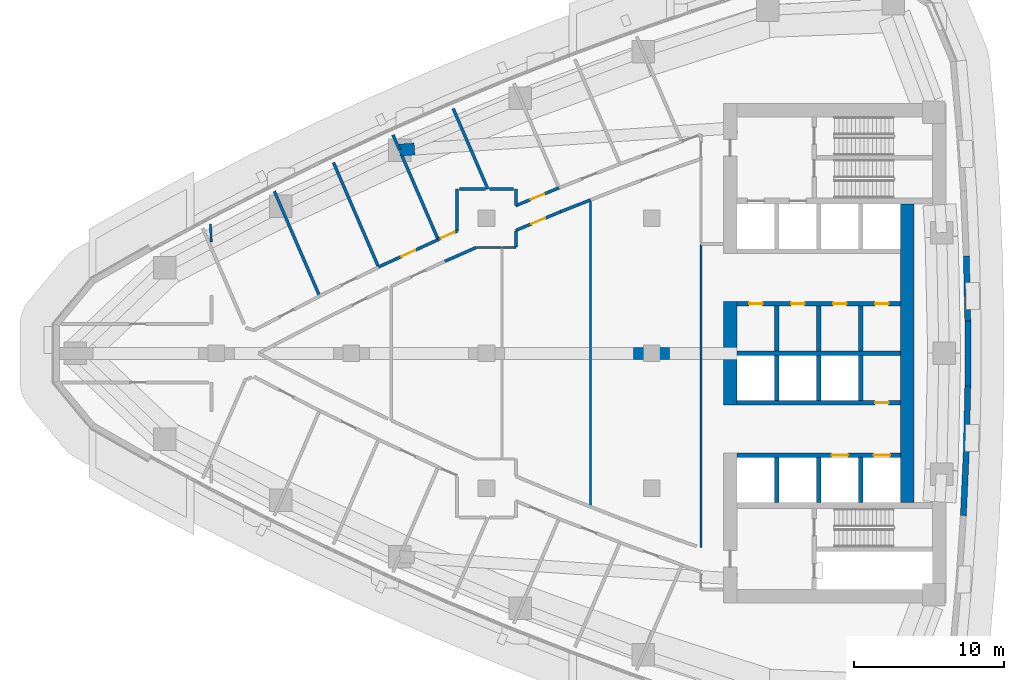
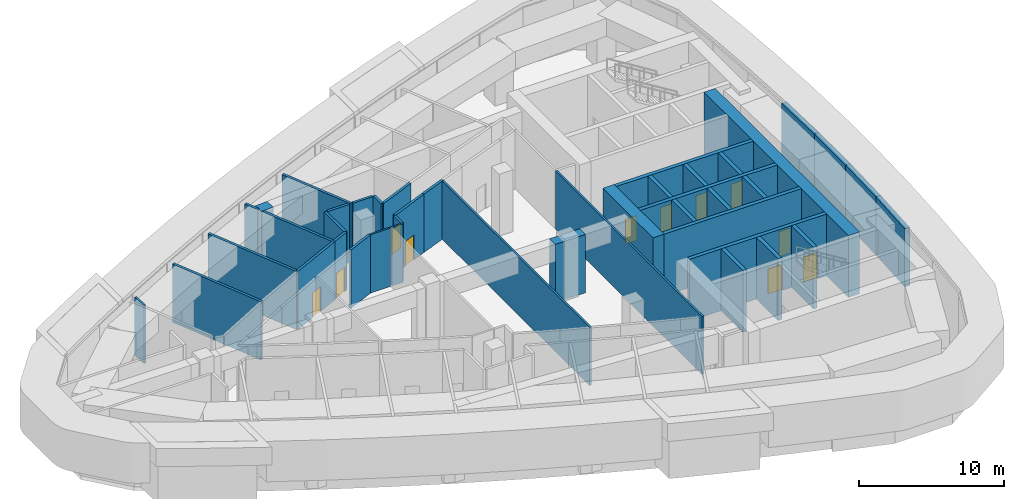
# One storey, part 12 of 18: 42 walls, 11 doors, 11 openings.
"""IFC4 building model written with IfcOpenShell, lengths in metres."""

import ifcopenshell
import ifcopenshell.guid

model = None  # the IFC model being written
_history = None  # IfcOwnerHistory: only IFC2X3 demands one
_inside = {}  # id of a spatial element -> (the spatial element, [elements in it])
_under = {}  # id of a project, library or spatial element -> (it, [spatial elements below it])
_declared = {}  # id of a project -> (the project, [libraries it declares])
_typed = {}  # id of a type object -> (the type object, [elements of that type])
_made_of = {}  # id of a material, layer set ... -> (it, [elements and type objects made of it])


def new_model(schema):
    """Start an empty IFC model of exactly this schema.

    Asked for "IFC4X3", IfcOpenShell would pick the latest addendum, in which some entities
    have other attributes; the version numbers below select the first issue.
    IFC2X3 requires an IfcOwnerHistory on every rooted entity: one is made here for all.
    """
    global model, _history
    if schema == "IFC4X3":
        model = ifcopenshell.file(schema_version=(4, 3, 0, 0))
    else:
        model = ifcopenshell.file(schema=schema)
    _inside.clear()
    _under.clear()
    _declared.clear()
    _typed.clear()
    _made_of.clear()
    _history = None
    if model.schema == "IFC2X3":
        org = make("IfcOrganization", Name="unknown")
        user = make(
            "IfcPersonAndOrganization",
            ThePerson=make("IfcPerson", FamilyName="unknown"),
            TheOrganization=org,
        )
        app = make(
            "IfcApplication",
            ApplicationDeveloper=org,
            Version="unknown",
            ApplicationFullName="unknown",
            ApplicationIdentifier="unknown",
        )
        _history = make(
            "IfcOwnerHistory",
            OwningUser=user,
            OwningApplication=app,
            ChangeAction="ADDED",
            CreationDate=0,
        )
    return model


def make(cls, **values):
    """One entity of the class cls with the attributes given. An attribute that is None is left unset."""
    return model.create_entity(
        cls, **{name: value for name, value in values.items() if value is not None}
    )


def rooted(cls, **values):
    """An entity with a GlobalId (a new one), such as an element, a storey or a relation."""
    return make(cls, GlobalId=ifcopenshell.guid.new(), OwnerHistory=_history, **values)


def si_unit(unit_type, name, prefix=None):
    """IfcSIUnit, for example si_unit("LENGTHUNIT", "METRE", prefix="MILLI")."""
    return make("IfcSIUnit", UnitType=unit_type, Prefix=prefix, Name=name)


def assignment(units):
    """IfcUnitAssignment: the units of a project."""
    return None if units is None else make("IfcUnitAssignment", Units=units)


def point(xyz):
    """IfcCartesianPoint."""
    return None if xyz is None else make("IfcCartesianPoint", Coordinates=xyz)


def direction(xyz):
    """IfcDirection."""
    return None if xyz is None else make("IfcDirection", DirectionRatios=xyz)


def frame(location, z_axis=None, x_axis=None):
    """IfcAxis2Placement3D, a coordinate frame: its origin and axes. An axis left out is left unset."""
    return make(
        "IfcAxis2Placement3D",
        Location=point(location),
        Axis=direction(z_axis),
        RefDirection=direction(x_axis),
    )


def frame_2d(location, x_axis=None):
    """IfcAxis2Placement2D, a coordinate frame in the plane: its origin and x axis."""
    return make(
        "IfcAxis2Placement2D", Location=point(location), RefDirection=direction(x_axis)
    )


def origin():
    """The frame at (0, 0, 0) with its axes left unset."""
    return frame((0.0, 0.0, 0.0))


def place(relative_to, where):
    """IfcLocalPlacement: puts the frame where relative to a parent placement (None: the world)."""
    return make(
        "IfcLocalPlacement", PlacementRelTo=relative_to, RelativePlacement=where
    )


def context(
    kind, dimensions, precision=None, world=None, true_north=None, identifier=None
):
    """IfcGeometricRepresentationContext, for example the 3D "Model" context."""
    return make(
        "IfcGeometricRepresentationContext",
        ContextIdentifier=identifier,
        ContextType=kind,
        CoordinateSpaceDimension=dimensions,
        Precision=precision,
        WorldCoordinateSystem=world,
        TrueNorth=true_north,
    )


def subcontext(parent, identifier, kind, view, scale=None):
    """IfcGeometricRepresentationSubContext, for example "Body" below "Model"."""
    return make(
        "IfcGeometricRepresentationSubContext",
        ContextIdentifier=identifier,
        ContextType=kind,
        ParentContext=parent,
        TargetScale=scale,
        TargetView=view,
    )


def project(units=None, contexts=None):
    """IfcProject with its units and contexts."""
    return rooted(
        "IfcProject",
        Name="project",
        RepresentationContexts=contexts,
        UnitsInContext=assignment(units),
    )


def spatial(cls, under=None, at=None, **own):
    """A site, building, storey or space (cls), placed at a placement, below another one or the project."""
    s = rooted(cls, ObjectPlacement=at, **own)
    if under is not None:
        _under.setdefault(under.id(), (under, []))[1].append(s)
    return s


def polyline(points):
    """IfcPolyline through the points."""
    return make("IfcPolyline", Points=[point(p) for p in points])


def profile(cls, at=None, kind="AREA", **sizes):
    """A parametric profile (cls). Its sizes go by their IFC names, for example OverallWidth=200.0."""
    return make(cls, ProfileType=kind, Position=at, **sizes)


def rectangle(**sizes):
    """IfcRectangleProfileDef."""
    return profile("IfcRectangleProfileDef", **sizes)


def outline(outer, holes=None, kind="AREA"):
    """IfcArbitraryClosedProfileDef: a profile drawn as a closed curve; with holes, ...WithVoids."""
    if holes is None:
        return make("IfcArbitraryClosedProfileDef", ProfileType=kind, OuterCurve=outer)
    return make(
        "IfcArbitraryProfileDefWithVoids",
        ProfileType=kind,
        OuterCurve=outer,
        InnerCurves=holes,
    )


def extrude(swept, where, along, depth):
    """IfcExtrudedAreaSolid: the profile swept, set in the frame where, extruded along a direction by depth."""
    return make(
        "IfcExtrudedAreaSolid",
        SweptArea=swept,
        Position=where,
        ExtrudedDirection=direction(along),
        Depth=depth,
    )


def shape(context_of_items, identifier, shape_type, items):
    """IfcShapeRepresentation: the items that make up one representation, for example the "Body"."""
    return make(
        "IfcShapeRepresentation",
        ContextOfItems=context_of_items,
        RepresentationIdentifier=identifier,
        RepresentationType=shape_type,
        Items=items,
    )


def material(Name=None, Category=None):
    """IfcMaterial."""
    return make("IfcMaterial", Name=Name, Category=Category)


def layer(
    of_material, thickness, ventilated=None, Name=None, Category=None, Priority=None
):
    """IfcMaterialLayer: one layer of a wall or slab, of a material (None: an air gap)."""
    return make(
        "IfcMaterialLayer",
        Material=of_material,
        LayerThickness=thickness,
        IsVentilated=ventilated,
        Name=Name,
        Category=Category,
        Priority=Priority,
    )


def layer_set(layers, Name=None):
    """IfcMaterialLayerSet."""
    return make("IfcMaterialLayerSet", MaterialLayers=layers, LayerSetName=Name)


def made_of(thing, what):
    """Note that an element or type object is made of a material, layer set ...; save() writes the relation."""
    if what is not None:
        _made_of.setdefault(what.id(), (what, []))[1].append(thing)
    return thing


def type_object(cls, material=None, **own):
    """A type object (cls), such as IfcWallType, which elements share."""
    return made_of(rooted(cls, **own), material)


def element(
    cls,
    number,
    at=None,
    inside=None,
    cuts=None,
    type_object=None,
    material=None,
    context=None,
    identifier="Body",
    shape_type=None,
    held_by="IfcProductDefinitionShape",
    body=None,
    shapes=None,
    **own,
):
    """One element of the class cls, such as IfcWall. Its Tag is "e" and its number.

    at: its placement. inside: the storey or other place that contains it. cuts: it is an
    opening in that element (IfcRelVoidsElement). A single representation is given by context,
    identifier, shape_type and body (its items); several are given by shapes. held_by: the class
    of the entity that holds the representations. save() writes the other relations.
    """
    e = rooted(cls, Tag="e%d" % number, ObjectPlacement=at, **own)
    if body is not None:
        shapes = [shape(context, identifier, shape_type, body)]
    if shapes is not None:
        e.Representation = make(held_by, Representations=shapes)
    if inside is not None:
        _inside.setdefault(inside.id(), (inside, []))[1].append(e)
    if cuts is not None:
        rooted(
            "IfcRelVoidsElement", RelatingBuildingElement=cuts, RelatedOpeningElement=e
        )
    if type_object is not None:
        _typed.setdefault(type_object.id(), (type_object, []))[1].append(e)
    return made_of(e, material)


def fill(opening, filler):
    """IfcRelFillsElement: the door or window that sits in an opening."""
    return rooted(
        "IfcRelFillsElement",
        RelatingOpeningElement=opening,
        RelatedBuildingElement=filler,
    )


def aggregate(whole, parts):
    """IfcRelAggregates: a whole, such as a stair, and the parts it consists of."""
    return rooted("IfcRelAggregates", RelatingObject=whole, RelatedObjects=parts)


def save(model, path):
    """Write the relations noted so far, then the file.

    IfcRelAggregates (storeys below a building ...), IfcRelContainedInSpatialStructure (elements
    in a storey), IfcRelDefinesByType, IfcRelAssociatesMaterial and IfcRelDeclares: one each for
    every whole, place, type object, material and project.
    """
    for whole, parts in _under.values():
        aggregate(whole, parts)
    for where, things in _inside.values():
        rooted(
            "IfcRelContainedInSpatialStructure",
            RelatedElements=things,
            RelatingStructure=where,
        )
    for kind, things in _typed.values():
        rooted("IfcRelDefinesByType", RelatedObjects=things, RelatingType=kind)
    for what, things in _made_of.values():
        rooted("IfcRelAssociatesMaterial", RelatedObjects=things, RelatingMaterial=what)
    for by, libraries in _declared.values():
        rooted("IfcRelDeclares", RelatingContext=by, RelatedDefinitions=libraries)
    model.write(path)


model = new_model("IFC4")

# Units and contexts
model_context = context("Model", 3, precision=1e-05, world=origin(), true_north=direction((0.0, 1.0)))
body_context = subcontext(model_context, "Body", "Model", "MODEL_VIEW")
ifc_project = project(units=[si_unit("LENGTHUNIT", "METRE"), si_unit("AREAUNIT", "SQUARE_METRE"), si_unit("VOLUMEUNIT", "CUBIC_METRE"), si_unit("PLANEANGLEUNIT", "RADIAN"), si_unit("MASSUNIT", "GRAM", prefix="KILO")], contexts=[model_context])

# Site, building, storey
site_placement = place(None, origin())
site = spatial("IfcSite", under=ifc_project, at=site_placement, CompositionType="ELEMENT")
building_placement = place(site_placement, origin())
building = spatial("IfcBuilding", under=site, at=building_placement, Name="Ostrand Prow Hotel Tower", CompositionType="ELEMENT")
storey_placement = place(building_placement, frame((0.0, 0.0, 165.699951171875)))
storey = spatial("IfcBuildingStorey", under=building, at=storey_placement, Name="L41", CompositionType="ELEMENT", Elevation=165.699951171875)

# Wall
ifc_material_1 = material(Name="Concrete C70/85", Category="concrete")
ifc_layer_1 = layer(ifc_material_1, 0.300048828125)
ifc_layer_set_1 = layer_set([ifc_layer_1], Name="Concrete C70/85")
wall_type_1 = type_object("IfcWallType", Name="Core wall 300 C70/85", PredefinedType="SHEAR", material=ifc_layer_set_1)
wall_1_placement = place(storey_placement, frame((50.699951171875, 0.0, 0.0), z_axis=(0.0, 0.0, 1.0), x_axis=(1.0, 0.0, 0.0)))
element("IfcWall", 1, at=wall_1_placement, inside=storey, type_object=wall_type_1, Name="Core wall PW-C", PredefinedType="SHEAR", context=body_context, shape_type="SweptSolid", body=[
    extrude(rectangle(XDim=10.900146484375, YDim=0.300048828125, at=frame_2d((5.4501953125, 0.0))), origin(), (0.0, 0.0, 1.0), 5.199951171875),
])

# Wall, openings, doors
wall_2_placement = place(storey_placement, frame((50.699951171875, 3.300048828125, 0.0), z_axis=(0.0, 0.0, 1.0), x_axis=(1.0, 0.0, 0.0)))
wall_2 = element("IfcWall", 2, at=wall_2_placement, inside=storey, type_object=wall_type_1, Name="Core wall PW-L1-N", PredefinedType="SHEAR", context=body_context, shape_type="SweptSolid", body=[
    extrude(rectangle(XDim=10.900146484375, YDim=0.300048828125, at=frame_2d((5.4501953125, 0.0))), origin(), (0.0, 0.0, 1.0), 5.199951171875),
])
opening_1_placement = place(wall_2_placement, frame((0.800048828125, 0.0, 0.0)))
opening_1 = element("IfcOpeningElement", 3, at=opening_1_placement, cuts=wall_2, Name="Opening FD2", PredefinedType="OPENING", context=body_context, shape_type="SweptSolid", body=[
    extrude(rectangle(XDim=0.89990234375, YDim=2.10009765625, at=frame_2d((0.449951171875, 1.050048828125))), frame((0.0, 0.159912109375, 0.0), z_axis=(0.0, -1.0, 0.0), x_axis=(1.0, 0.0, 0.0)), (0.0, 0.0, 1.0), 0.320068359375),
])
opening_2_placement = place(wall_2_placement, frame((3.60009765625, 0.0, 0.0)))
opening_2 = element("IfcOpeningElement", 4, at=opening_2_placement, cuts=wall_2, Name="Opening FD2", PredefinedType="OPENING", context=body_context, shape_type="SweptSolid", body=[
    extrude(rectangle(XDim=0.89990234375, YDim=2.10009765625, at=frame_2d((0.449951171875, 1.050048828125))), frame((0.0, 0.159912109375, 0.0), z_axis=(0.0, -1.0, 0.0), x_axis=(1.0, 0.0, 0.0)), (0.0, 0.0, 1.0), 0.320068359375),
])
opening_3_placement = place(wall_2_placement, frame((6.39990234375, 0.0, 0.0)))
opening_3 = element("IfcOpeningElement", 5, at=opening_3_placement, cuts=wall_2, Name="Opening FD2", PredefinedType="OPENING", context=body_context, shape_type="SweptSolid", body=[
    extrude(rectangle(XDim=0.89990234375, YDim=2.10009765625, at=frame_2d((0.449951171875, 1.050048828125))), frame((0.0, 0.159912109375, 0.0), z_axis=(0.0, -1.0, 0.0), x_axis=(1.0, 0.0, 0.0)), (0.0, 0.0, 1.0), 0.320068359375),
])
opening_4_placement = place(wall_2_placement, frame((9.199951171875, 0.0, 0.0)))
opening_4 = element("IfcOpeningElement", 6, at=opening_4_placement, cuts=wall_2, Name="Opening FD2", PredefinedType="OPENING", context=body_context, shape_type="SweptSolid", body=[
    extrude(rectangle(XDim=0.89990234375, YDim=2.10009765625, at=frame_2d((0.449951171875, 1.050048828125))), frame((0.0, 0.159912109375, 0.0), z_axis=(0.0, -1.0, 0.0), x_axis=(1.0, 0.0, 0.0)), (0.0, 0.0, 1.0), 0.320068359375),
])
ifc_material_2 = material(Name="Steel fire door", Category="steel")
door_type_1 = type_object("IfcDoorType", Name="Fire door 900 EI120", OperationType="SINGLE_SWING_LEFT", PredefinedType="DOOR", material=ifc_material_2)
door_1_placement = place(opening_1_placement, origin())
door_1 = element("IfcDoor", 7, at=door_1_placement, inside=storey, type_object=door_type_1, Name="DOOR", OperationType="SINGLE_SWING_LEFT", OverallHeight=2.10009765625, OverallWidth=0.89990234375, PredefinedType="DOOR", context=body_context, shape_type="SweptSolid", body=[
    extrude(rectangle(XDim=0.89990234375, YDim=2.10009765625, at=frame_2d((0.449951171875, 1.050048828125))), frame((0.0, 0.02490234375, 0.0), z_axis=(0.0, -1.0, 0.0), x_axis=(1.0, 0.0, 0.0)), (0.0, 0.0, 1.0), 0.050048828125),
])
fill(opening_1, door_1)
door_2_placement = place(opening_2_placement, origin())
door_2 = element("IfcDoor", 8, at=door_2_placement, inside=storey, type_object=door_type_1, Name="DOOR", OperationType="SINGLE_SWING_LEFT", OverallHeight=2.10009765625, OverallWidth=0.89990234375, PredefinedType="DOOR", context=body_context, shape_type="SweptSolid", body=[
    extrude(rectangle(XDim=0.89990234375, YDim=2.10009765625, at=frame_2d((0.449951171875, 1.050048828125))), frame((0.0, 0.02490234375, 0.0), z_axis=(0.0, -1.0, 0.0), x_axis=(1.0, 0.0, 0.0)), (0.0, 0.0, 1.0), 0.050048828125),
])
fill(opening_2, door_2)
door_3_placement = place(opening_3_placement, origin())
door_3 = element("IfcDoor", 9, at=door_3_placement, inside=storey, type_object=door_type_1, Name="DOOR", OperationType="SINGLE_SWING_LEFT", OverallHeight=2.10009765625, OverallWidth=0.89990234375, PredefinedType="DOOR", context=body_context, shape_type="SweptSolid", body=[
    extrude(rectangle(XDim=0.89990234375, YDim=2.10009765625, at=frame_2d((0.449951171875, 1.050048828125))), frame((0.0, 0.02490234375, 0.0), z_axis=(0.0, -1.0, 0.0), x_axis=(1.0, 0.0, 0.0)), (0.0, 0.0, 1.0), 0.050048828125),
])
fill(opening_3, door_3)
door_4_placement = place(opening_4_placement, origin())
door_4 = element("IfcDoor", 10, at=door_4_placement, inside=storey, type_object=door_type_1, Name="DOOR", OperationType="SINGLE_SWING_LEFT", OverallHeight=2.10009765625, OverallWidth=0.89990234375, PredefinedType="DOOR", context=body_context, shape_type="SweptSolid", body=[
    extrude(rectangle(XDim=0.89990234375, YDim=2.10009765625, at=frame_2d((0.449951171875, 1.050048828125))), frame((0.0, 0.02490234375, 0.0), z_axis=(0.0, -1.0, 0.0), x_axis=(1.0, 0.0, 0.0)), (0.0, 0.0, 1.0), 0.050048828125),
])
fill(opening_4, door_4)

# Walls
for number, where, z_axis, x_axis, name in (
    (11, (53.35009765625, 0.14990234375, 0.0), (0.0, 0.0, 1.0), (0.0, 1.0, 0.0), "Core wall PW-R1-NB"),
    (12, (56.14990234375, 0.14990234375, 0.0), (0.0, 0.0, 1.0), (0.0, 1.0, 0.0), "Core wall PW-R2-NB"),
    (13, (58.949951171875, 0.14990234375, 0.0), (0.0, 0.0, 1.0), (0.0, 1.0, 0.0), "Core wall PW-R3-NB"),
):
    element("IfcWall", number, at=place(storey_placement, frame(where, z_axis=z_axis, x_axis=x_axis)), inside=storey, type_object=wall_type_1, Name=name, PredefinedType="SHEAR", context=body_context, shape_type="SweptSolid", body=[
        extrude(rectangle(XDim=3.0, YDim=0.300048828125, at=frame_2d((1.5, 0.0))), origin(), (0.0, 0.0, 1.0), 5.199951171875),
    ])

# Wall, opening, door
wall_3_placement = place(storey_placement, frame((50.699951171875, -3.300048828125, 0.0), z_axis=(0.0, 0.0, 1.0), x_axis=(1.0, 0.0, 0.0)))
wall_3 = element("IfcWall", 14, at=wall_3_placement, inside=storey, type_object=wall_type_1, Name="Core wall PW-L1-S", PredefinedType="SHEAR", context=body_context, shape_type="SweptSolid", body=[
    extrude(rectangle(XDim=10.900146484375, YDim=0.300048828125, at=frame_2d((5.4501953125, 0.0))), origin(), (0.0, 0.0, 1.0), 5.199951171875),
])
opening_5_placement = place(wall_3_placement, frame((9.199951171875, 0.0, 0.0)))
opening_5 = element("IfcOpeningElement", 15, at=opening_5_placement, cuts=wall_3, Name="Opening FD2", PredefinedType="OPENING", context=body_context, shape_type="SweptSolid", body=[
    extrude(rectangle(XDim=0.89990234375, YDim=2.10009765625, at=frame_2d((0.449951171875, 1.050048828125))), frame((0.0, 0.159912109375, 0.0), z_axis=(0.0, -1.0, 0.0), x_axis=(1.0, 0.0, 0.0)), (0.0, 0.0, 1.0), 0.320068359375),
])
door_5_placement = place(opening_5_placement, origin())
door_5 = element("IfcDoor", 16, at=door_5_placement, inside=storey, type_object=door_type_1, Name="DOOR", OperationType="SINGLE_SWING_LEFT", OverallHeight=2.10009765625, OverallWidth=0.89990234375, PredefinedType="DOOR", context=body_context, shape_type="SweptSolid", body=[
    extrude(rectangle(XDim=0.89990234375, YDim=2.10009765625, at=frame_2d((0.449951171875, 1.050048828125))), frame((0.0, 0.02490234375, 0.0), z_axis=(0.0, -1.0, 0.0), x_axis=(1.0, 0.0, 0.0)), (0.0, 0.0, 1.0), 0.050048828125),
])
fill(opening_5, door_5)

# Wall, openings, doors
wall_4_placement = place(storey_placement, frame((50.699951171875, -6.800048828125, 0.0), z_axis=(0.0, 0.0, 1.0), x_axis=(1.0, 0.0, 0.0)))
wall_4 = element("IfcWall", 17, at=wall_4_placement, inside=storey, type_object=wall_type_1, Name="Core wall PW-L2-S", PredefinedType="SHEAR", context=body_context, shape_type="SweptSolid", body=[
    extrude(rectangle(XDim=10.900146484375, YDim=0.300048828125, at=frame_2d((5.4501953125, 0.0))), origin(), (0.0, 0.0, 1.0), 5.199951171875),
])
opening_6_placement = place(wall_4_placement, frame((6.300048828125, 0.0, 0.0)))
opening_6 = element("IfcOpeningElement", 18, at=opening_6_placement, cuts=wall_4, Name="Opening LD", PredefinedType="OPENING", context=body_context, shape_type="SweptSolid", body=[
    extrude(rectangle(XDim=1.10009765625, YDim=2.10009765625, at=frame_2d((0.550048828125, 1.050048828125))), frame((0.0, 0.159912109375, 0.0), z_axis=(0.0, -1.0, 0.0), x_axis=(1.0, 0.0, 0.0)), (0.0, 0.0, 1.0), 0.320068359375),
])
opening_7_placement = place(wall_4_placement, frame((9.10009765625, 0.0, 0.0)))
opening_7 = element("IfcOpeningElement", 19, at=opening_7_placement, cuts=wall_4, Name="Opening LD", PredefinedType="OPENING", context=body_context, shape_type="SweptSolid", body=[
    extrude(rectangle(XDim=1.10009765625, YDim=2.10009765625, at=frame_2d((0.550048828125, 1.050048828125))), frame((0.0, 0.159912109375, 0.0), z_axis=(0.0, -1.0, 0.0), x_axis=(1.0, 0.0, 0.0)), (0.0, 0.0, 1.0), 0.320068359375),
])
ifc_material_3 = material(Name="Stainless steel door", Category="steel")
door_type_2 = type_object("IfcDoorType", Name="Lift landing door 1100", OperationType="DOUBLE_DOOR_SLIDING", PredefinedType="DOOR", material=ifc_material_3)
door_6_placement = place(opening_6_placement, origin())
door_6 = element("IfcDoor", 20, at=door_6_placement, inside=storey, type_object=door_type_2, Name="LIFT LANDING DOOR", OperationType="DOUBLE_DOOR_SLIDING", OverallHeight=2.10009765625, OverallWidth=1.10009765625, PredefinedType="DOOR", context=body_context, shape_type="SweptSolid", body=[
    extrude(rectangle(XDim=1.10009765625, YDim=2.10009765625, at=frame_2d((0.550048828125, 1.050048828125))), frame((0.0, 0.02490234375, 0.0), z_axis=(0.0, -1.0, 0.0), x_axis=(1.0, 0.0, 0.0)), (0.0, 0.0, 1.0), 0.050048828125),
])
fill(opening_6, door_6)
door_7_placement = place(opening_7_placement, origin())
door_7 = element("IfcDoor", 21, at=door_7_placement, inside=storey, type_object=door_type_2, Name="LIFT LANDING DOOR", OperationType="DOUBLE_DOOR_SLIDING", OverallHeight=2.10009765625, OverallWidth=1.10009765625, PredefinedType="DOOR", context=body_context, shape_type="SweptSolid", body=[
    extrude(rectangle(XDim=1.10009765625, YDim=2.10009765625, at=frame_2d((0.550048828125, 1.050048828125))), frame((0.0, 0.02490234375, 0.0), z_axis=(0.0, -1.0, 0.0), x_axis=(1.0, 0.0, 0.0)), (0.0, 0.0, 1.0), 0.050048828125),
])
fill(opening_7, door_7)

# Walls
for number, where, z_axis, x_axis, name in (
    (22, (53.35009765625, -3.14990234375, 0.0), (0.0, 0.0, 1.0), (0.0, 1.0, 0.0), "Core wall PW-R1-SB"),
    (23, (53.35009765625, -9.949951171875, 0.0), (0.0, 0.0, 1.0), (0.0, 1.0, 0.0), "Core wall PW-R1-SA"),
    (24, (56.14990234375, -3.14990234375, 0.0), (0.0, 0.0, 1.0), (0.0, 1.0, 0.0), "Core wall PW-R2-SB"),
    (25, (56.14990234375, -9.949951171875, 0.0), (0.0, 0.0, 1.0), (0.0, 1.0, 0.0), "Core wall PW-R2-SA"),
    (26, (58.949951171875, -3.14990234375, 0.0), (0.0, 0.0, 1.0), (0.0, 1.0, 0.0), "Core wall PW-R3-SB"),
    (27, (58.949951171875, -9.949951171875, 0.0), (0.0, 0.0, 1.0), (0.0, 1.0, 0.0), "Core wall PW-R3-SA"),
):
    element("IfcWall", number, at=place(storey_placement, frame(where, z_axis=z_axis, x_axis=x_axis)), inside=storey, type_object=wall_type_1, Name=name, PredefinedType="SHEAR", context=body_context, shape_type="SweptSolid", body=[
        extrude(rectangle(XDim=3.0, YDim=0.300048828125, at=frame_2d((1.5, 0.0))), origin(), (0.0, 0.0, 1.0), 5.199951171875),
    ])
ifc_material_4 = material(Name="Concrete C70/85", Category="concrete")
ifc_layer_2 = layer(ifc_material_4, 0.89990234375)
ifc_layer_set_2 = layer_set([ifc_layer_2], Name="Concrete C70/85")
wall_type_2 = type_object("IfcWallType", Name="Core wall 900 C70/85", PredefinedType="SHEAR", material=ifc_layer_set_2)
wall_5_placement = place(storey_placement, frame((50.25, -3.449951171875, 0.0), z_axis=(0.0, 0.0, 1.0), x_axis=(0.0, 1.0, 0.0)))
element("IfcWall", 28, at=wall_5_placement, inside=storey, type_object=wall_type_2, Name="Core wall CW-W-C", PredefinedType="SHEAR", context=body_context, shape_type="SweptSolid", body=[
    extrude(rectangle(XDim=6.89990234375, YDim=0.89990234375, at=frame_2d((3.449951171875, 0.0))), origin(), (0.0, 0.0, 1.0), 5.199951171875),
])
wall_6_placement = place(storey_placement, frame((62.050048828125, -9.949951171875, 0.0), z_axis=(0.0, 0.0, 1.0), x_axis=(0.0, 1.0, 0.0)))
element("IfcWall", 29, at=wall_6_placement, inside=storey, type_object=wall_type_2, Name="Core wall CW-E-C", PredefinedType="SHEAR", context=body_context, shape_type="SweptSolid", body=[
    extrude(rectangle(XDim=19.89990234375, YDim=0.89990234375, at=frame_2d((9.949951171875, 0.0))), origin(), (0.0, 0.0, 1.0), 5.199951171875),
])
ifc_material_5 = material(Name="Concrete C70/85", Category="concrete")
ifc_layer_3 = layer(ifc_material_5, 0.800048828125)
ifc_layer_set_3 = layer_set([ifc_layer_3], Name="Concrete C70/85")
wall_type_3 = type_object("IfcWallType", Name="Outrigger wall 800 C70/85", PredefinedType="SHEAR", material=ifc_layer_set_3)
wall_7_placement = place(storey_placement, frame((43.800048828125, 0.0, 0.0), z_axis=(0.0, 0.0, 1.0), x_axis=(1.0, 0.0, 0.0)))
element("IfcWall", 30, at=wall_7_placement, inside=storey, type_object=wall_type_3, Name="Outrigger wall A5", PredefinedType="SHEAR", context=body_context, shape_type="SweptSolid", body=[
    extrude(rectangle(XDim=2.39990234375, YDim=0.800048828125, at=frame_2d((1.199951171875, 0.0))), origin(), (0.0, 0.0, 1.0), 4.900146484375),
])
wall_8_placement = place(storey_placement, frame((29.202880859375, 13.61328125, 0.0), z_axis=(0.0, 0.0, 1.0), x_axis=(-0.99780886022, -0.066162515566, 0.0)))
element("IfcWall", 31, at=wall_8_placement, inside=storey, type_object=wall_type_3, Name="Outrigger wall DN2", PredefinedType="SHEAR", context=body_context, shape_type="SweptSolid", body=[
    extrude(rectangle(XDim=1.0, YDim=0.800048828125, at=frame_2d((0.5, 0.0))), origin(), (0.0, 0.0, 1.0), 4.900146484375),
])
ifc_material_6 = material(Name="Plasterboard partition")
ifc_layer_4 = layer(ifc_material_6, 0.14990234375)
ifc_layer_set_4 = layer_set([ifc_layer_4], Name="Plasterboard partition")
wall_type_4 = type_object("IfcWallType", Name="Partition 150 room partition", PredefinedType="PARTITIONING", material=ifc_layer_set_4)
wall_9_placement = place(storey_placement, frame((40.928466796875, -10.221923828125, 0.0), z_axis=(0.0, 0.0, 1.0), x_axis=(0.0, 1.0, 0.0)))
element("IfcWall", 32, at=wall_9_placement, inside=storey, type_object=wall_type_4, Name="ROOM PARTITION", PredefinedType="PARTITIONING", context=body_context, shape_type="SweptSolid", body=[
    extrude(rectangle(XDim=20.44384765625, YDim=0.14990234375, at=frame_2d((10.221923828125, 0.0))), origin(), (0.0, 0.0, 1.0), 4.900146484375),
])
wall_10_placement = place(storey_placement, frame((15.603759765625, 8.60888671875, 0.0), z_axis=(0.0, 0.0, 1.0), x_axis=(0.046038800033, -0.998939652277, 0.0)))
element("IfcWall", 33, at=wall_10_placement, inside=storey, type_object=wall_type_4, Name="ROOM PARTITION", PredefinedType="PARTITIONING", context=body_context, shape_type="SweptSolid", body=[
    extrude(rectangle(XDim=1.193115234375, YDim=0.14990234375, at=frame_2d((0.5966796875, 0.0))), origin(), (0.0, 0.0, 1.0), 4.900146484375),
])
wall_11_placement = place(storey_placement, frame((33.347412109375, 7.044921875, 0.0), z_axis=(0.0, 0.0, 1.0), x_axis=(1.0, 0.0, 0.0)))
element("IfcWall", 34, at=wall_11_placement, inside=storey, type_object=wall_type_4, Name="ROOM PARTITION", PredefinedType="PARTITIONING", context=body_context, shape_type="SweptSolid", body=[
    extrude(rectangle(XDim=1.643798828125, YDim=0.14990234375, at=frame_2d((0.82177734375, 0.0))), origin(), (0.0, 0.0, 1.0), 4.900146484375),
])
wall_12_placement = place(storey_placement, frame((35.0712890625, 7.045166015625, 0.0), z_axis=(0.0, 0.0, 1.0), x_axis=(0.999998125229, 0.00193637258, 0.0)))
element("IfcWall", 35, at=wall_12_placement, inside=storey, type_object=wall_type_4, Name="ROOM PARTITION", PredefinedType="PARTITIONING", context=body_context, shape_type="SweptSolid", body=[
    extrude(rectangle(XDim=0.882568359375, YDim=0.14990234375, at=frame_2d((0.44140625, 0.0))), origin(), (0.0, 0.0, 1.0), 4.900146484375),
])
wall_13_placement = place(storey_placement, frame((48.294921875, 7.260498046875, 0.0), z_axis=(0.0, 0.0, 1.0), x_axis=(0.0, -1.0, 0.0)))
element("IfcWall", 36, at=wall_13_placement, inside=storey, type_object=wall_type_4, Name="ROOM PARTITION", PredefinedType="PARTITIONING", context=body_context, shape_type="SweptSolid", body=[
    extrude(rectangle(XDim=20.215576171875, YDim=0.14990234375, at=frame_2d((10.10791015625, 0.0))), origin(), (0.0, 0.0, 1.0), 4.900146484375),
])

# Wall, opening, door
ifc_material_7 = material(Name="Plasterboard partition")
ifc_layer_5 = layer(ifc_material_7, 0.199951171875)
ifc_layer_set_5 = layer_set([ifc_layer_5], Name="Plasterboard partition")
wall_type_5 = type_object("IfcWallType", Name="Partition 200 corridor wall", PredefinedType="PARTITIONING", material=ifc_layer_set_5)
wall_14_placement = place(storey_placement, frame((26.80322265625, 5.7529296875, 0.0), z_axis=(0.0, 0.0, 1.0), x_axis=(0.90910092787, 0.416575926987, 0.0)))
wall_14 = element("IfcWall", 37, at=wall_14_placement, inside=storey, type_object=wall_type_5, Name="CORRIDOR WALL", PredefinedType="PARTITIONING", context=body_context, shape_type="SweptSolid", body=[
    extrude(rectangle(XDim=4.375, YDim=0.199951171875, at=frame_2d((2.1875, 0.0))), origin(), (0.0, 0.0, 1.0), 4.900146484375),
])
opening_8_placement = place(wall_14_placement, frame((1.6875, 0.0, 0.0)))
opening_8 = element("IfcOpeningElement", 38, at=opening_8_placement, cuts=wall_14, Name="Opening D1", PredefinedType="OPENING", context=body_context, shape_type="SweptSolid", body=[
    extrude(rectangle(XDim=1.0, YDim=2.10009765625, at=frame_2d((0.5, 1.050048828125))), frame((0.0, 0.10986328125, 0.0), z_axis=(0.0, -1.0, 0.0), x_axis=(1.0, 0.0, 0.0)), (0.0, 0.0, 1.0), 0.219970703125),
])
ifc_material_8 = material(Name="Timber door leaf", Category="wood")
door_type_3 = type_object("IfcDoorType", Name="Guest room door 1000", OperationType="SINGLE_SWING_LEFT", PredefinedType="DOOR", material=ifc_material_8)
door_8_placement = place(opening_8_placement, origin())
door_8 = element("IfcDoor", 39, at=door_8_placement, inside=storey, type_object=door_type_3, Name="DOOR", OperationType="SINGLE_SWING_LEFT", OverallHeight=2.10009765625, OverallWidth=1.0, PredefinedType="DOOR", context=body_context, shape_type="SweptSolid", body=[
    extrude(rectangle(XDim=1.0, YDim=2.10009765625, at=frame_2d((0.5, 1.050048828125))), frame((0.0, 0.02490234375, 0.0), z_axis=(0.0, -1.0, 0.0), x_axis=(1.0, 0.0, 0.0)), (0.0, 0.0, 1.0), 0.050048828125),
])
fill(opening_8, door_8)

wall_15_placement = place(storey_placement, frame((32.050048828125, 8.15673828125, 0.0), z_axis=(0.0, 0.0, 1.0), x_axis=(-0.915155082005, -0.403101942293, 0.0)))
wall_15 = element("IfcWall", 40, at=wall_15_placement, inside=storey, type_object=wall_type_5, Name="CORRIDOR WALL", PredefinedType="PARTITIONING", context=body_context, shape_type="SweptSolid", body=[
    extrude(rectangle(XDim=1.39599609375, YDim=0.199951171875, at=frame_2d((0.697998046875, 0.0))), origin(), (0.0, 0.0, 1.0), 4.900146484375),
])
opening_9_placement = place(wall_15_placement, frame((0.199951171875, 0.0, 0.0)))
opening_9 = element("IfcOpeningElement", 41, at=opening_9_placement, cuts=wall_15, Name="Opening D1R", PredefinedType="OPENING", context=body_context, shape_type="SweptSolid", body=[
    extrude(rectangle(XDim=1.0, YDim=2.10009765625, at=frame_2d((0.5, 1.050048828125))), frame((0.0, 0.10986328125, 0.0), z_axis=(0.0, -1.0, 0.0), x_axis=(1.0, 0.0, 0.0)), (0.0, 0.0, 1.0), 0.219970703125),
])
ifc_material_9 = material(Name="Timber door leaf", Category="wood")
door_type_4 = type_object("IfcDoorType", Name="Guest room door 1000 right", OperationType="SINGLE_SWING_RIGHT", PredefinedType="DOOR", material=ifc_material_9)
door_9_placement = place(opening_9_placement, origin())
door_9 = element("IfcDoor", 42, at=door_9_placement, inside=storey, type_object=door_type_4, Name="DOOR", OperationType="SINGLE_SWING_RIGHT", OverallHeight=2.10009765625, OverallWidth=1.0, PredefinedType="DOOR", context=body_context, shape_type="SweptSolid", body=[
    extrude(rectangle(XDim=1.0, YDim=2.10009765625, at=frame_2d((0.5, 1.050048828125))), frame((0.0, 0.02490234375, 0.0), z_axis=(0.0, -1.0, 0.0), x_axis=(1.0, 0.0, 0.0)), (0.0, 0.0, 1.0), 0.050048828125),
])
fill(opening_9, door_9)

wall_16_placement = place(storey_placement, frame((38.824462890625, 11.027587890625, 0.0), z_axis=(0.0, 0.0, 1.0), x_axis=(-0.924238544028, -0.381815549359, 0.0)))
wall_16 = element("IfcWall", 43, at=wall_16_placement, inside=storey, type_object=wall_type_5, Name="CORRIDOR WALL", PredefinedType="PARTITIONING", context=body_context, shape_type="SweptSolid", body=[
    extrude(rectangle(XDim=3.110107421875, YDim=0.199951171875, at=frame_2d((1.55517578125, 0.0))), origin(), (0.0, 0.0, 1.0), 4.900146484375),
])
opening_10_placement = place(wall_16_placement, frame((1.054931640625, 0.0, 0.0)))
opening_10 = element("IfcOpeningElement", 44, at=opening_10_placement, cuts=wall_16, Name="Opening D1", PredefinedType="OPENING", context=body_context, shape_type="SweptSolid", body=[
    extrude(rectangle(XDim=1.0, YDim=2.10009765625, at=frame_2d((0.5, 1.050048828125))), frame((0.0, 0.10986328125, 0.0), z_axis=(0.0, -1.0, 0.0), x_axis=(1.0, 0.0, 0.0)), (0.0, 0.0, 1.0), 0.219970703125),
])
door_10_placement = place(opening_10_placement, origin())
door_10 = element("IfcDoor", 45, at=door_10_placement, inside=storey, type_object=door_type_3, Name="DOOR", OperationType="SINGLE_SWING_LEFT", OverallHeight=2.10009765625, OverallWidth=1.0, PredefinedType="DOOR", context=body_context, shape_type="SweptSolid", body=[
    extrude(rectangle(XDim=1.0, YDim=2.10009765625, at=frame_2d((0.5, 1.050048828125))), frame((0.0, 0.02490234375, 0.0), z_axis=(0.0, -1.0, 0.0), x_axis=(1.0, 0.0, 0.0)), (0.0, 0.0, 1.0), 0.050048828125),
])
fill(opening_10, door_10)

# Wall
wall_17_placement = place(storey_placement, frame((31.231201171875, 6.135009765625, 0.0), z_axis=(0.0, 0.0, 1.0), x_axis=(0.915102334452, 0.403221672881, 0.0)))
element("IfcWall", 46, at=wall_17_placement, inside=storey, type_object=wall_type_5, Name="CORRIDOR WALL", PredefinedType="PARTITIONING", context=body_context, shape_type="SweptSolid", body=[
    extrude(rectangle(XDim=2.269287109375, YDim=0.199951171875, at=frame_2d((1.134765625, 0.0))), origin(), (0.0, 0.0, 1.0), 4.900146484375),
])

# Wall, opening, door
wall_18_placement = place(storey_placement, frame((35.949951171875, 8.193115234375, 0.0), z_axis=(0.0, 0.0, 1.0), x_axis=(0.923005630596, 0.384786441923, 0.0)))
wall_18 = element("IfcWall", 47, at=wall_18_placement, inside=storey, type_object=wall_type_5, Name="CORRIDOR WALL", PredefinedType="PARTITIONING", context=body_context, shape_type="SweptSolid", body=[
    extrude(rectangle(XDim=3.242919921875, YDim=0.199951171875, at=frame_2d((1.62158203125, 0.0))), origin(), (0.0, 0.0, 1.0), 4.900146484375),
])
opening_11_placement = place(wall_18_placement, frame((1.121337890625, 0.0, 0.0)))
opening_11 = element("IfcOpeningElement", 48, at=opening_11_placement, cuts=wall_18, Name="Opening D1", PredefinedType="OPENING", context=body_context, shape_type="SweptSolid", body=[
    extrude(rectangle(XDim=1.0, YDim=2.10009765625, at=frame_2d((0.5, 1.050048828125))), frame((0.0, 0.10986328125, 0.0), z_axis=(0.0, -1.0, 0.0), x_axis=(1.0, 0.0, 0.0)), (0.0, 0.0, 1.0), 0.219970703125),
])
door_11_placement = place(opening_11_placement, origin())
door_11 = element("IfcDoor", 49, at=door_11_placement, inside=storey, type_object=door_type_3, Name="DOOR", OperationType="SINGLE_SWING_LEFT", OverallHeight=2.10009765625, OverallWidth=1.0, PredefinedType="DOOR", context=body_context, shape_type="SweptSolid", body=[
    extrude(rectangle(XDim=1.0, YDim=2.10009765625, at=frame_2d((0.5, 1.050048828125))), frame((0.0, 0.02490234375, 0.0), z_axis=(0.0, -1.0, 0.0), x_axis=(1.0, 0.0, 0.0)), (0.0, 0.0, 1.0), 0.050048828125),
])
fill(opening_11, door_11)

# Walls
wall_19_placement = place(storey_placement, frame((38.943115234375, 9.44091796875, 0.0), z_axis=(0.0, 0.0, 1.0), x_axis=(0.93058448592, 0.366077197548, 0.0)))
element("IfcWall", 50, at=wall_19_placement, inside=storey, type_object=wall_type_5, Name="CORRIDOR WALL", PredefinedType="PARTITIONING", context=body_context, shape_type="SweptSolid", body=[
    extrude(rectangle(XDim=2.133544921875, YDim=0.199951171875, at=frame_2d((1.06689453125, 0.0))), origin(), (0.0, 0.0, 1.0), 4.900146484375),
])
wall_20_placement = place(storey_placement, frame((35.953857421875, 7.0869140625, 0.0), z_axis=(0.0, 0.0, 1.0), x_axis=(0.001144425893, 0.999999345144, 0.0)))
element("IfcWall", 51, at=wall_20_placement, inside=storey, type_object=wall_type_5, Name="CORRIDOR WALL", PredefinedType="PARTITIONING", context=body_context, shape_type="SweptSolid", body=[
    extrude(rectangle(XDim=1.066650390625, YDim=0.199951171875, at=frame_2d((0.533203125, 0.0))), origin(), (0.0, 0.0, 1.0), 4.900146484375),
])
wall_21_placement = place(storey_placement, frame((32.04638671875, 10.95361328125, 0.0), z_axis=(0.0, 0.0, 1.0), x_axis=(0.00130935642, -0.999999142793, 0.0)))
element("IfcWall", 52, at=wall_21_placement, inside=storey, type_object=wall_type_5, Name="CORRIDOR WALL", PredefinedType="PARTITIONING", context=body_context, shape_type="SweptSolid", body=[
    extrude(rectangle(XDim=2.796875, YDim=0.199951171875, at=frame_2d((1.3984375, 0.0))), origin(), (0.0, 0.0, 1.0), 4.900146484375),
])
wall_22_placement = place(storey_placement, frame((35.949951171875, 9.840087890625, 0.0), z_axis=(0.0, 0.0, 1.0), x_axis=(0.00262983969, 0.999996541966, 0.0)))
element("IfcWall", 53, at=wall_22_placement, inside=storey, type_object=wall_type_5, Name="CORRIDOR WALL", PredefinedType="PARTITIONING", context=body_context, shape_type="SweptSolid", body=[
    extrude(rectangle(XDim=1.114013671875, YDim=0.199951171875, at=frame_2d((0.55712890625, 0.0))), origin(), (0.0, 0.0, 1.0), 4.900146484375),
])
ifc_material_10 = material(Name="Plasterboard partition")
ifc_layer_6 = layer(ifc_material_10, 0.199951171875)
ifc_layer_set_6 = layer_set([ifc_layer_6], Name="Plasterboard partition")
wall_type_6 = type_object("IfcWallType", Name="Partition 200 key partition", PredefinedType="PARTITIONING", material=ifc_layer_set_6)
wall_23_placement = place(storey_placement, frame((22.87890625, 3.807861328125, 0.0), z_axis=(0.0, 0.0, 1.0), x_axis=(-0.395985583575, 0.918256727501, 0.0)))
element("IfcWall", 54, at=wall_23_placement, inside=storey, type_object=wall_type_6, Name="KEY PARTITION", PredefinedType="PARTITIONING", context=body_context, shape_type="SweptSolid", body=[
    extrude(rectangle(XDim=7.611083984375, YDim=0.199951171875, at=frame_2d((3.8056640625, 0.0))), origin(), (0.0, 0.0, 1.0), 4.900146484375),
])
wall_24_placement = place(storey_placement, frame((26.811279296875, 5.734619140625, 0.0), z_axis=(0.0, 0.0, 1.0), x_axis=(-0.395995556294, 0.918252426839, 0.0)))
element("IfcWall", 55, at=wall_24_placement, inside=storey, type_object=wall_type_6, Name="KEY PARTITION", PredefinedType="PARTITIONING", context=body_context, shape_type="SweptSolid", body=[
    extrude(rectangle(XDim=7.60302734375, YDim=0.199951171875, at=frame_2d((3.801513671875, 0.0))), origin(), (0.0, 0.0, 1.0), 4.900146484375),
])
wall_25_placement = place(storey_placement, frame((30.780517578125, 7.575439453125, 0.0), z_axis=(0.0, 0.0, 1.0), x_axis=(-0.39600745092, 0.9182472972, 0.0)))
element("IfcWall", 56, at=wall_25_placement, inside=storey, type_object=wall_type_6, Name="KEY PARTITION", PredefinedType="PARTITIONING", context=body_context, shape_type="SweptSolid", body=[
    extrude(rectangle(XDim=6.078857421875, YDim=0.199951171875, at=frame_2d((3.03955078125, 0.0))), origin(), (0.0, 0.0, 1.0), 4.900146484375),
])
wall_26_placement = place(storey_placement, frame((28.205078125, 13.546875, 0.0), z_axis=(0.0, 0.0, 1.0), x_axis=(-0.395851994879, 0.918314324265, 0.0)))
element("IfcWall", 57, at=wall_26_placement, inside=storey, type_object=wall_type_6, Name="KEY PARTITION", PredefinedType="PARTITIONING", context=body_context, shape_type="SweptSolid", body=[
    extrude(rectangle(XDim=1.09716796875, YDim=0.199951171875, at=frame_2d((0.548583984375, 0.0))), origin(), (0.0, 0.0, 1.0), 4.900146484375),
])
wall_27_placement = place(storey_placement, frame((34.091552734375, 10.949951171875, 0.0), z_axis=(0.0, 0.0, 1.0), x_axis=(-0.395991607501, 0.918254129742, 0.0)))
element("IfcWall", 58, at=wall_27_placement, inside=storey, type_object=wall_type_6, Name="KEY PARTITION", PredefinedType="PARTITIONING", context=body_context, shape_type="SweptSolid", body=[
    extrude(rectangle(XDim=5.841064453125, YDim=0.199951171875, at=frame_2d((2.92041015625, 0.0))), origin(), (0.0, 0.0, 1.0), 4.900146484375),
])
wall_28_placement = place(storey_placement, frame((32.196533203125, 10.9501953125, 0.0), z_axis=(0.0, 0.0, 1.0), x_axis=(0.99999964192, 0.000846262038, 0.0)))
element("IfcWall", 59, at=wall_28_placement, inside=storey, type_object=wall_type_6, Name="KEY PARTITION", PredefinedType="PARTITIONING", context=body_context, shape_type="SweptSolid", body=[
    extrude(rectangle(XDim=1.73095703125, YDim=0.199951171875, at=frame_2d((0.865478515625, 0.0))), origin(), (0.0, 0.0, 1.0), 4.900146484375),
])
wall_29_placement = place(storey_placement, frame((34.216064453125, 10.951904296875, 0.0), z_axis=(0.0, 0.0, 1.0), x_axis=(0.999999704051, 0.000769348903, 0.0)))
element("IfcWall", 60, at=wall_29_placement, inside=storey, type_object=wall_type_6, Name="KEY PARTITION", PredefinedType="PARTITIONING", context=body_context, shape_type="SweptSolid", body=[
    extrude(rectangle(XDim=1.586669921875, YDim=0.199951171875, at=frame_2d((0.79345703125, 0.0))), origin(), (0.0, 0.0, 1.0), 4.900146484375),
])
ifc_material_11 = material(Name="Precast concrete C40/50", Category="concrete")
ifc_layer_7 = layer(ifc_material_11, 0.39990234375)
ifc_layer_set_7 = layer_set([ifc_layer_7], Name="Precast concrete C40/50")
wall_type_7 = type_object("IfcWallType", Name="Stone-faced precast wall 400 mm", PredefinedType="NOTDEFINED", material=ifc_layer_set_7)
wall_30_placement = place(storey_placement, frame((65.781982421875, -10.81689453125, 0.0), z_axis=(0.0, 0.0, 1.0), x_axis=(0.045228592312, 0.99897666361, 0.0)))
element("IfcWall", 61, at=wall_30_placement, inside=storey, type_object=wall_type_7, Name="Stone-faced wall back 7", PredefinedType="NOTDEFINED", context=body_context, shape_type="SweptSolid", body=[
    extrude(outline(polyline([(-0.002197265625, -0.199951171875), (4.331298828125, -0.199951171875), (4.326904296875, 0.199951171875), (0.002197265625, 0.199951171875), (-0.002197265625, -0.199951171875)])), origin(), (0.0, 0.0, 1.0), 4.900146484375),
])
wall_31_placement = place(storey_placement, frame((65.977783203125, -6.4921875, 0.0), z_axis=(0.0, 0.0, 1.0), x_axis=(0.02261635063, 0.99974421763, 0.0)))
element("IfcWall", 62, at=wall_31_placement, inside=storey, type_object=wall_type_7, Name="Stone-faced wall back 8", PredefinedType="NOTDEFINED", context=body_context, shape_type="SweptSolid", body=[
    extrude(outline(polyline([(-0.002197265625, -0.199951171875), (4.3310546875, -0.199951171875), (4.32666015625, 0.199951171875), (0.002197265625, 0.199951171875), (-0.002197265625, -0.199951171875)])), origin(), (0.0, 0.0, 1.0), 4.900146484375),
])
wall_32_placement = place(storey_placement, frame((66.07568359375, -2.16455078125, 0.0), z_axis=(0.0, 0.0, 1.0), x_axis=(0.0, 1.0, 0.0)))
element("IfcWall", 63, at=wall_32_placement, inside=storey, type_object=wall_type_7, Name="Stone-faced wall back 9", PredefinedType="NOTDEFINED", context=body_context, shape_type="SweptSolid", body=[
    extrude(outline(polyline([(-0.002197265625, -0.199951171875), (4.331298828125, -0.199951171875), (4.326904296875, 0.199951171875), (0.002197265625, 0.199951171875), (-0.002197265625, -0.199951171875)])), origin(), (0.0, 0.0, 1.0), 4.900146484375),
])
wall_33_placement = place(storey_placement, frame((66.07568359375, 2.16455078125, 0.0), z_axis=(0.0, 0.0, 1.0), x_axis=(-0.02261635063, 0.99974421763, 0.0)))
element("IfcWall", 64, at=wall_33_placement, inside=storey, type_object=wall_type_7, Name="Stone-faced wall back 10", PredefinedType="NOTDEFINED", context=body_context, shape_type="SweptSolid", body=[
    extrude(outline(polyline([(-0.002197265625, -0.199951171875), (4.3310546875, -0.199951171875), (4.32666015625, 0.199951171875), (0.002197265625, 0.199951171875), (-0.002197265625, -0.199951171875)])), origin(), (0.0, 0.0, 1.0), 4.900146484375),
])

save(model, "model.ifc")
